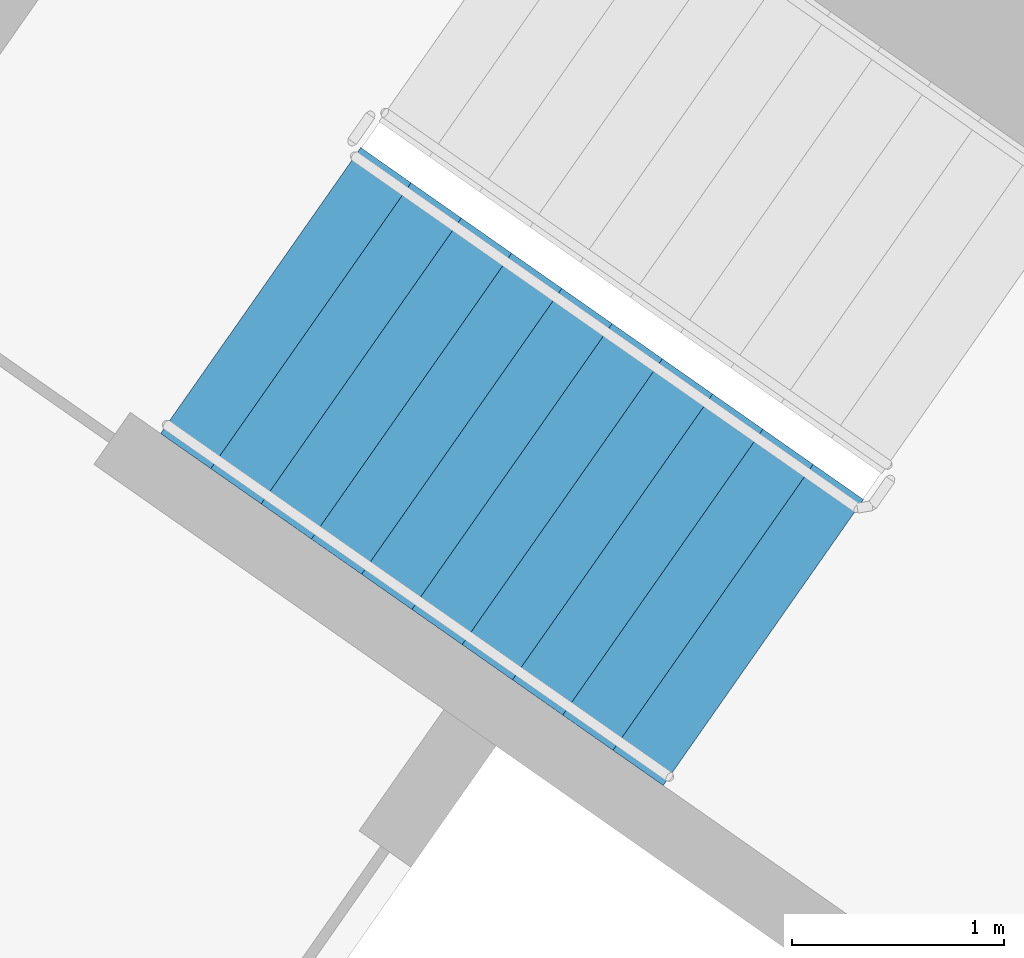
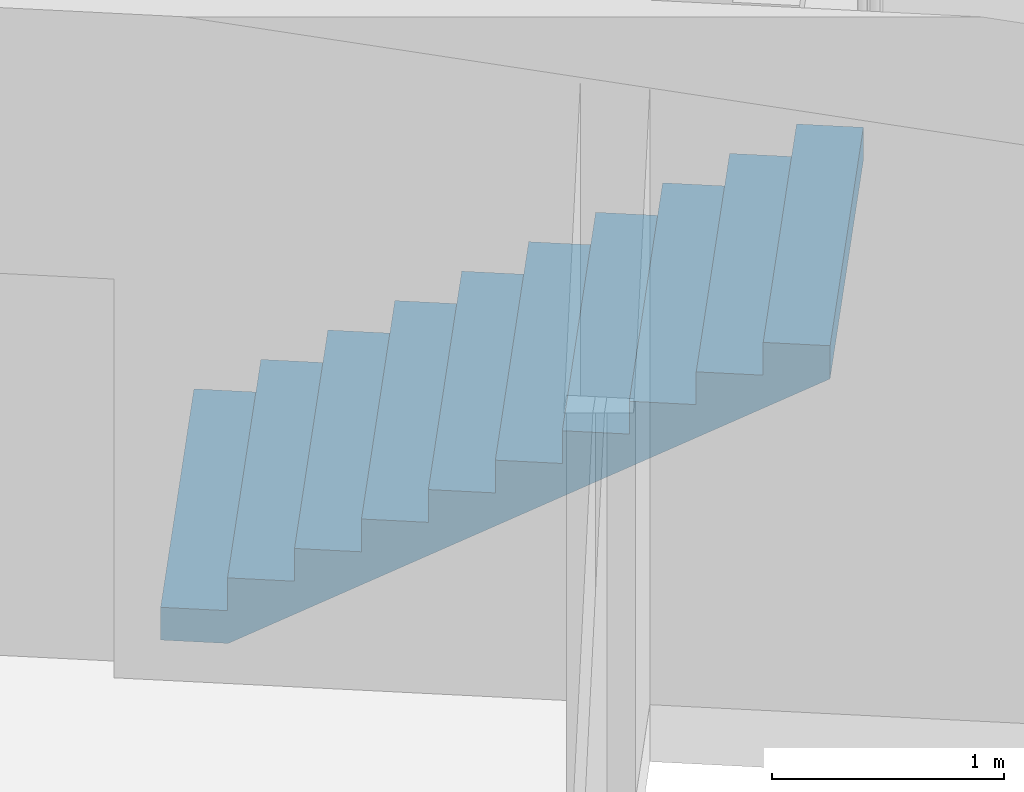
# One storey, part 13 of 27: 1 stair flight, 1 element without a shape of its own.
"""IFC4 building model written with IfcOpenShell, lengths in metres."""

from ifc_helpers import new_model, si_unit, direction, frame, origin, place, context, subcontext, project, spatial, faceted_brep, material, type_object, element, aggregate, save


model = new_model("IFC4")

# Units and contexts
model_context = context("Model", 3, precision=1e-05, world=origin(), true_north=direction((0.0, 1.0)))
body_context = subcontext(model_context, "Body", "Model", "MODEL_VIEW")
ifc_project = project(units=[si_unit("LENGTHUNIT", "METRE"), si_unit("AREAUNIT", "SQUARE_METRE"), si_unit("VOLUMEUNIT", "CUBIC_METRE"), si_unit("PLANEANGLEUNIT", "RADIAN"), si_unit("MASSUNIT", "GRAM", prefix="KILO")], contexts=[model_context])

# Site, building, storey
site_placement = place(None, origin())
site = spatial("IfcSite", under=ifc_project, at=site_placement, CompositionType="ELEMENT")
building_placement = place(site_placement, origin())
building = spatial("IfcBuilding", under=site, at=building_placement, Name="Qamariyya Broadcast Tower", CompositionType="ELEMENT")
storey_placement = place(building_placement, frame((0.0, 0.0, 187.300048828125)))
storey = spatial("IfcBuildingStorey", under=building, at=storey_placement, Name="L44", CompositionType="ELEMENT", Elevation=187.300048828125)

# Stair, stair flight
ifc_material = material(Name="Concrete C50/60", Category="concrete")
stair_type = type_object("IfcStairType", Name="Exit stair 22 risers of 173 mm", PredefinedType="HALF_TURN_STAIR", material=ifc_material)
stair_placement = place(storey_placement, origin())
stair = element("IfcStair", 1, at=stair_placement, inside=storey, type_object=stair_type, Name="L44 Stair W2", PredefinedType="HALF_TURN_STAIR")
stair_flight_type = type_object("IfcStairFlightType", Name="Exit stair flight 11 risers of 173 mm", PredefinedType="STRAIGHT", material=ifc_material)
stair_flight_placement = place(storey_placement, frame((-41.59130859375, -49.15966796875, 0.0), z_axis=(0.0, 0.0, 1.0), x_axis=(0.819152044289, -0.573576436351, 0.0)))
stair_flight = element("IfcStairFlight", 2, at=stair_flight_placement, type_object=stair_flight_type, Name="ST-W2 flight 1", NumberOfRisers=11, NumberOfTreads=10, PredefinedType="STRAIGHT", RiserHeight=0.172727273, TreadLength=0.29, context=body_context, shape_type="Brep", body=[
    faceted_brep([(0.0, 0.824951171875, 0.0), (0.0, 0.824951171875, 0.172607421875), (0.2900390625, 0.824951171875, 0.172607421875), (0.2900390625, 0.824951171875, 0.345458984375), (0.580078125, 0.824951171875, 0.345458984375), (0.580078125, 0.824951171875, 0.51806640625), (0.8701171875, 0.824951171875, 0.51806640625), (0.8701171875, 0.824951171875, 0.69091796875), (1.159912109375, 0.824951171875, 0.69091796875), (1.159912109375, 0.824951171875, 0.863525390625), (1.449951171875, 0.824951171875, 0.863525390625), (1.449951171875, 0.824951171875, 1.036376953125), (1.739990234375, 0.824951171875, 1.036376953125), (1.739990234375, 0.824951171875, 1.208984375), (2.030029296875, 0.824951171875, 1.208984375), (2.030029296875, 0.824951171875, 1.3818359375), (2.320068359375, 0.824951171875, 1.3818359375), (2.320068359375, 0.824951171875, 1.554443359375), (2.610107421875, 0.824951171875, 1.554443359375), (2.610107421875, 0.824951171875, 1.727294921875), (2.89990234375, 0.824951171875, 1.727294921875), (2.89990234375, 0.824951171875, 1.552734375), (0.29296875, 0.824951171875, 0.0), (0.29296875, -0.824951171875, 0.0), (2.89990234375, -0.824951171875, 1.552734375), (2.89990234375, -0.824951171875, 1.727294921875), (2.610107421875, -0.824951171875, 1.727294921875), (2.610107421875, -0.824951171875, 1.554443359375), (2.320068359375, -0.824951171875, 1.554443359375), (2.320068359375, -0.824951171875, 1.3818359375), (2.030029296875, -0.824951171875, 1.3818359375), (2.030029296875, -0.824951171875, 1.208984375), (1.739990234375, -0.824951171875, 1.208984375), (1.739990234375, -0.824951171875, 1.036376953125), (1.449951171875, -0.824951171875, 1.036376953125), (1.449951171875, -0.824951171875, 0.863525390625), (1.159912109375, -0.824951171875, 0.863525390625), (1.159912109375, -0.824951171875, 0.69091796875), (0.8701171875, -0.824951171875, 0.69091796875), (0.8701171875, -0.824951171875, 0.51806640625), (0.580078125, -0.824951171875, 0.51806640625), (0.580078125, -0.824951171875, 0.345458984375), (0.2900390625, -0.824951171875, 0.345458984375), (0.2900390625, -0.824951171875, 0.172607421875), (0.0, -0.824951171875, 0.172607421875), (0.0, -0.824951171875, 0.0), (0.0, 0.10009765625, 0.0), (0.0, 0.086669921875, 0.0), (0.0, 0.0732421875, 0.0), (0.0, 0.06005859375, 0.0), (0.0, 0.046630859375, 0.0), (0.0, 0.033447265625, 0.0), (0.0, 0.02001953125, 0.0), (0.0, 0.006591796875, 0.0), (0.0, -0.006591796875, 0.0), (0.0, -0.02001953125, 0.0), (0.0, -0.033447265625, 0.0), (0.0, -0.046630859375, 0.0), (0.0, -0.06005859375, 0.0), (0.0, -0.0732421875, 0.0), (0.0, -0.086669921875, 0.0), (0.0, -0.10009765625, 0.0), (0.0, -0.10009765625, 0.172607421875), (0.0, -0.086669921875, 0.172607421875), (0.0, -0.0732421875, 0.172607421875), (0.0, -0.06005859375, 0.172607421875), (0.0, -0.046630859375, 0.172607421875), (0.0, -0.033447265625, 0.172607421875), (0.0, -0.02001953125, 0.172607421875), (0.0, -0.006591796875, 0.172607421875), (0.0, 0.006591796875, 0.172607421875), (0.0, 0.02001953125, 0.172607421875), (0.0, 0.033447265625, 0.172607421875), (0.0, 0.046630859375, 0.172607421875), (0.0, 0.06005859375, 0.172607421875), (0.0, 0.0732421875, 0.172607421875), (0.0, 0.086669921875, 0.172607421875), (0.0, 0.10009765625, 0.172607421875), (0.2900390625, -0.10009765625, 0.172607421875), (0.2900390625, -0.086669921875, 0.172607421875), (0.2900390625, -0.0732421875, 0.172607421875), (0.2900390625, -0.06005859375, 0.172607421875), (0.2900390625, -0.046630859375, 0.172607421875), (0.2900390625, -0.033447265625, 0.172607421875), (0.2900390625, -0.02001953125, 0.172607421875), (0.2900390625, -0.006591796875, 0.172607421875), (0.2900390625, 0.006591796875, 0.172607421875), (0.2900390625, 0.02001953125, 0.172607421875), (0.2900390625, 0.033447265625, 0.172607421875), (0.2900390625, 0.046630859375, 0.172607421875), (0.2900390625, 0.06005859375, 0.172607421875), (0.2900390625, 0.0732421875, 0.172607421875), (0.2900390625, 0.086669921875, 0.172607421875), (0.2900390625, 0.10009765625, 0.172607421875), (0.2900390625, -0.10009765625, 0.345458984375), (0.2900390625, -0.086669921875, 0.345458984375), (0.2900390625, -0.0732421875, 0.345458984375), (0.2900390625, -0.06005859375, 0.345458984375), (0.2900390625, -0.046630859375, 0.345458984375), (0.2900390625, -0.033447265625, 0.345458984375), (0.2900390625, -0.02001953125, 0.345458984375), (0.2900390625, -0.006591796875, 0.345458984375), (0.2900390625, 0.006591796875, 0.345458984375), (0.2900390625, 0.02001953125, 0.345458984375), (0.2900390625, 0.033447265625, 0.345458984375), (0.2900390625, 0.046630859375, 0.345458984375), (0.2900390625, 0.06005859375, 0.345458984375), (0.2900390625, 0.0732421875, 0.345458984375), (0.2900390625, 0.086669921875, 0.345458984375), (0.2900390625, 0.10009765625, 0.345458984375), (0.580078125, -0.10009765625, 0.345458984375), (0.580078125, -0.086669921875, 0.345458984375), (0.580078125, -0.0732421875, 0.345458984375), (0.580078125, -0.06005859375, 0.345458984375), (0.580078125, -0.046630859375, 0.345458984375), (0.580078125, -0.033447265625, 0.345458984375), (0.580078125, -0.02001953125, 0.345458984375), (0.580078125, -0.006591796875, 0.345458984375), (0.580078125, 0.006591796875, 0.345458984375), (0.580078125, 0.02001953125, 0.345458984375), (0.580078125, 0.033447265625, 0.345458984375), (0.580078125, 0.046630859375, 0.345458984375), (0.580078125, 0.06005859375, 0.345458984375), (0.580078125, 0.0732421875, 0.345458984375), (0.580078125, 0.086669921875, 0.345458984375), (0.580078125, 0.10009765625, 0.345458984375), (0.580078125, -0.10009765625, 0.51806640625), (0.580078125, -0.086669921875, 0.51806640625), (0.580078125, -0.0732421875, 0.51806640625), (0.580078125, -0.06005859375, 0.51806640625), (0.580078125, -0.046630859375, 0.51806640625), (0.580078125, -0.033447265625, 0.51806640625), (0.580078125, -0.02001953125, 0.51806640625), (0.580078125, -0.006591796875, 0.51806640625), (0.580078125, 0.006591796875, 0.51806640625), (0.580078125, 0.02001953125, 0.51806640625), (0.580078125, 0.033447265625, 0.51806640625), (0.580078125, 0.046630859375, 0.51806640625), (0.580078125, 0.06005859375, 0.51806640625), (0.580078125, 0.0732421875, 0.51806640625), (0.580078125, 0.086669921875, 0.51806640625), (0.580078125, 0.10009765625, 0.51806640625), (0.8701171875, -0.10009765625, 0.51806640625), (0.8701171875, -0.086669921875, 0.51806640625), (0.8701171875, -0.0732421875, 0.51806640625), (0.8701171875, -0.06005859375, 0.51806640625), (0.8701171875, -0.046630859375, 0.51806640625), (0.8701171875, -0.033447265625, 0.51806640625), (0.8701171875, -0.02001953125, 0.51806640625), (0.8701171875, -0.006591796875, 0.51806640625), (0.8701171875, 0.006591796875, 0.51806640625), (0.8701171875, 0.02001953125, 0.51806640625), (0.8701171875, 0.033447265625, 0.51806640625), (0.8701171875, 0.046630859375, 0.51806640625), (0.8701171875, 0.06005859375, 0.51806640625), (0.8701171875, 0.0732421875, 0.51806640625), (0.8701171875, 0.086669921875, 0.51806640625), (0.8701171875, 0.10009765625, 0.51806640625), (0.8701171875, -0.10009765625, 0.69091796875), (0.8701171875, -0.086669921875, 0.69091796875), (0.8701171875, -0.0732421875, 0.69091796875), (0.8701171875, -0.06005859375, 0.69091796875), (0.8701171875, -0.046630859375, 0.69091796875), (0.8701171875, -0.033447265625, 0.69091796875), (0.8701171875, -0.02001953125, 0.69091796875), (0.8701171875, -0.006591796875, 0.69091796875), (0.8701171875, 0.006591796875, 0.69091796875), (0.8701171875, 0.02001953125, 0.69091796875), (0.8701171875, 0.033447265625, 0.69091796875), (0.8701171875, 0.046630859375, 0.69091796875), (0.8701171875, 0.06005859375, 0.69091796875), (0.8701171875, 0.0732421875, 0.69091796875), (0.8701171875, 0.086669921875, 0.69091796875), (0.8701171875, 0.10009765625, 0.69091796875), (1.159912109375, -0.10009765625, 0.69091796875), (1.159912109375, -0.086669921875, 0.69091796875), (1.159912109375, -0.0732421875, 0.69091796875), (1.159912109375, -0.06005859375, 0.69091796875), (1.159912109375, -0.046630859375, 0.69091796875), (1.159912109375, -0.033447265625, 0.69091796875), (1.159912109375, -0.02001953125, 0.69091796875), (1.159912109375, -0.006591796875, 0.69091796875), (1.159912109375, 0.006591796875, 0.69091796875), (1.159912109375, 0.02001953125, 0.69091796875), (1.159912109375, 0.033447265625, 0.69091796875), (1.159912109375, 0.046630859375, 0.69091796875), (1.159912109375, 0.06005859375, 0.69091796875), (1.159912109375, 0.0732421875, 0.69091796875), (1.159912109375, 0.086669921875, 0.69091796875), (1.159912109375, 0.10009765625, 0.69091796875), (1.159912109375, -0.10009765625, 0.863525390625), (1.159912109375, -0.086669921875, 0.863525390625), (1.159912109375, -0.0732421875, 0.863525390625), (1.159912109375, -0.06005859375, 0.863525390625), (1.159912109375, -0.046630859375, 0.863525390625), (1.159912109375, -0.033447265625, 0.863525390625), (1.159912109375, -0.02001953125, 0.863525390625), (1.159912109375, -0.006591796875, 0.863525390625), (1.159912109375, 0.006591796875, 0.863525390625), (1.159912109375, 0.02001953125, 0.863525390625), (1.159912109375, 0.033447265625, 0.863525390625), (1.159912109375, 0.046630859375, 0.863525390625), (1.159912109375, 0.06005859375, 0.863525390625), (1.159912109375, 0.0732421875, 0.863525390625), (1.159912109375, 0.086669921875, 0.863525390625), (1.159912109375, 0.10009765625, 0.863525390625), (1.449951171875, -0.10009765625, 0.863525390625), (1.449951171875, -0.086669921875, 0.863525390625), (1.449951171875, -0.0732421875, 0.863525390625), (1.449951171875, -0.06005859375, 0.863525390625), (1.449951171875, -0.046630859375, 0.863525390625), (1.449951171875, -0.033447265625, 0.863525390625), (1.449951171875, -0.02001953125, 0.863525390625), (1.449951171875, -0.006591796875, 0.863525390625), (1.449951171875, 0.006591796875, 0.863525390625), (1.449951171875, 0.02001953125, 0.863525390625), (1.449951171875, 0.033447265625, 0.863525390625), (1.449951171875, 0.046630859375, 0.863525390625), (1.449951171875, 0.06005859375, 0.863525390625), (1.449951171875, 0.0732421875, 0.863525390625), (1.449951171875, 0.086669921875, 0.863525390625), (1.449951171875, 0.10009765625, 0.863525390625), (1.449951171875, -0.10009765625, 1.036376953125), (1.449951171875, -0.086669921875, 1.036376953125), (1.449951171875, -0.0732421875, 1.036376953125), (1.449951171875, -0.06005859375, 1.036376953125), (1.449951171875, -0.046630859375, 1.036376953125), (1.449951171875, -0.033447265625, 1.036376953125), (1.449951171875, -0.02001953125, 1.036376953125), (1.449951171875, -0.006591796875, 1.036376953125), (1.449951171875, 0.006591796875, 1.036376953125), (1.449951171875, 0.02001953125, 1.036376953125), (1.449951171875, 0.033447265625, 1.036376953125), (1.449951171875, 0.046630859375, 1.036376953125), (1.449951171875, 0.06005859375, 1.036376953125), (1.449951171875, 0.0732421875, 1.036376953125), (1.449951171875, 0.086669921875, 1.036376953125), (1.449951171875, 0.10009765625, 1.036376953125), (1.739990234375, -0.10009765625, 1.036376953125), (1.739990234375, -0.086669921875, 1.036376953125), (1.739990234375, -0.0732421875, 1.036376953125), (1.739990234375, -0.06005859375, 1.036376953125), (1.739990234375, -0.046630859375, 1.036376953125), (1.739990234375, -0.033447265625, 1.036376953125), (1.739990234375, -0.02001953125, 1.036376953125), (1.739990234375, -0.006591796875, 1.036376953125), (1.739990234375, 0.006591796875, 1.036376953125), (1.739990234375, 0.02001953125, 1.036376953125), (1.739990234375, 0.033447265625, 1.036376953125), (1.739990234375, 0.046630859375, 1.036376953125), (1.739990234375, 0.06005859375, 1.036376953125), (1.739990234375, 0.0732421875, 1.036376953125), (1.739990234375, 0.086669921875, 1.036376953125), (1.739990234375, 0.10009765625, 1.036376953125), (1.739990234375, -0.10009765625, 1.208984375), (1.739990234375, -0.086669921875, 1.208984375), (1.739990234375, -0.0732421875, 1.208984375), (1.739990234375, -0.06005859375, 1.208984375), (1.739990234375, -0.046630859375, 1.208984375), (1.739990234375, -0.033447265625, 1.208984375), (1.739990234375, -0.02001953125, 1.208984375), (1.739990234375, -0.006591796875, 1.208984375), (1.739990234375, 0.006591796875, 1.208984375), (1.739990234375, 0.02001953125, 1.208984375), (1.739990234375, 0.033447265625, 1.208984375), (1.739990234375, 0.046630859375, 1.208984375), (1.739990234375, 0.06005859375, 1.208984375), (1.739990234375, 0.0732421875, 1.208984375), (1.739990234375, 0.086669921875, 1.208984375), (1.739990234375, 0.10009765625, 1.208984375), (2.030029296875, -0.10009765625, 1.208984375), (2.030029296875, -0.086669921875, 1.208984375), (2.030029296875, -0.0732421875, 1.208984375), (2.030029296875, -0.06005859375, 1.208984375), (2.030029296875, -0.046630859375, 1.208984375), (2.030029296875, -0.033447265625, 1.208984375), (2.030029296875, -0.02001953125, 1.208984375), (2.030029296875, -0.006591796875, 1.208984375), (2.030029296875, 0.006591796875, 1.208984375), (2.030029296875, 0.02001953125, 1.208984375), (2.030029296875, 0.033447265625, 1.208984375), (2.030029296875, 0.046630859375, 1.208984375), (2.030029296875, 0.06005859375, 1.208984375), (2.030029296875, 0.0732421875, 1.208984375), (2.030029296875, 0.086669921875, 1.208984375), (2.030029296875, 0.10009765625, 1.208984375), (2.030029296875, -0.10009765625, 1.3818359375), (2.030029296875, -0.086669921875, 1.3818359375), (2.030029296875, -0.0732421875, 1.3818359375), (2.030029296875, -0.06005859375, 1.3818359375), (2.030029296875, -0.046630859375, 1.3818359375), (2.030029296875, -0.033447265625, 1.3818359375), (2.030029296875, -0.02001953125, 1.3818359375), (2.030029296875, -0.006591796875, 1.3818359375), (2.030029296875, 0.006591796875, 1.3818359375), (2.030029296875, 0.02001953125, 1.3818359375), (2.030029296875, 0.033447265625, 1.3818359375), (2.030029296875, 0.046630859375, 1.3818359375), (2.030029296875, 0.06005859375, 1.3818359375), (2.030029296875, 0.0732421875, 1.3818359375), (2.030029296875, 0.086669921875, 1.3818359375), (2.030029296875, 0.10009765625, 1.3818359375), (2.320068359375, -0.10009765625, 1.3818359375), (2.320068359375, -0.086669921875, 1.3818359375), (2.320068359375, -0.0732421875, 1.3818359375), (2.320068359375, -0.06005859375, 1.3818359375), (2.320068359375, -0.046630859375, 1.3818359375), (2.320068359375, -0.033447265625, 1.3818359375), (2.320068359375, -0.02001953125, 1.3818359375), (2.320068359375, -0.006591796875, 1.3818359375), (2.320068359375, 0.006591796875, 1.3818359375), (2.320068359375, 0.02001953125, 1.3818359375), (2.320068359375, 0.033447265625, 1.3818359375), (2.320068359375, 0.046630859375, 1.3818359375), (2.320068359375, 0.06005859375, 1.3818359375), (2.320068359375, 0.0732421875, 1.3818359375), (2.320068359375, 0.086669921875, 1.3818359375), (2.320068359375, 0.10009765625, 1.3818359375), (2.320068359375, -0.10009765625, 1.554443359375), (2.320068359375, -0.086669921875, 1.554443359375), (2.320068359375, -0.0732421875, 1.554443359375), (2.320068359375, -0.06005859375, 1.554443359375), (2.320068359375, -0.046630859375, 1.554443359375), (2.320068359375, -0.033447265625, 1.554443359375), (2.320068359375, -0.02001953125, 1.554443359375), (2.320068359375, -0.006591796875, 1.554443359375), (2.320068359375, 0.006591796875, 1.554443359375), (2.320068359375, 0.02001953125, 1.554443359375), (2.320068359375, 0.033447265625, 1.554443359375), (2.320068359375, 0.046630859375, 1.554443359375), (2.320068359375, 0.06005859375, 1.554443359375), (2.320068359375, 0.0732421875, 1.554443359375), (2.320068359375, 0.086669921875, 1.554443359375), (2.320068359375, 0.10009765625, 1.554443359375), (2.610107421875, -0.10009765625, 1.554443359375), (2.610107421875, -0.086669921875, 1.554443359375), (2.610107421875, -0.0732421875, 1.554443359375), (2.610107421875, -0.06005859375, 1.554443359375), (2.610107421875, -0.046630859375, 1.554443359375), (2.610107421875, -0.033447265625, 1.554443359375), (2.610107421875, -0.02001953125, 1.554443359375), (2.610107421875, -0.006591796875, 1.554443359375), (2.610107421875, 0.006591796875, 1.554443359375), (2.610107421875, 0.02001953125, 1.554443359375), (2.610107421875, 0.033447265625, 1.554443359375), (2.610107421875, 0.046630859375, 1.554443359375), (2.610107421875, 0.06005859375, 1.554443359375), (2.610107421875, 0.0732421875, 1.554443359375), (2.610107421875, 0.086669921875, 1.554443359375), (2.610107421875, 0.10009765625, 1.554443359375), (2.610107421875, -0.10009765625, 1.727294921875), (2.610107421875, -0.086669921875, 1.727294921875), (2.610107421875, -0.0732421875, 1.727294921875), (2.610107421875, -0.06005859375, 1.727294921875), (2.610107421875, -0.046630859375, 1.727294921875), (2.610107421875, -0.033447265625, 1.727294921875), (2.610107421875, -0.02001953125, 1.727294921875), (2.610107421875, -0.006591796875, 1.727294921875), (2.610107421875, 0.006591796875, 1.727294921875), (2.610107421875, 0.02001953125, 1.727294921875), (2.610107421875, 0.033447265625, 1.727294921875), (2.610107421875, 0.046630859375, 1.727294921875), (2.610107421875, 0.06005859375, 1.727294921875), (2.610107421875, 0.0732421875, 1.727294921875), (2.610107421875, 0.086669921875, 1.727294921875), (2.610107421875, 0.10009765625, 1.727294921875), (2.89990234375, -0.10009765625, 1.727294921875), (2.89990234375, -0.086669921875, 1.727294921875), (2.89990234375, -0.0732421875, 1.727294921875), (2.89990234375, -0.06005859375, 1.727294921875), (2.89990234375, -0.046630859375, 1.727294921875), (2.89990234375, -0.033447265625, 1.727294921875), (2.89990234375, -0.02001953125, 1.727294921875), (2.89990234375, -0.006591796875, 1.727294921875), (2.89990234375, 0.006591796875, 1.727294921875), (2.89990234375, 0.02001953125, 1.727294921875), (2.89990234375, 0.033447265625, 1.727294921875), (2.89990234375, 0.046630859375, 1.727294921875), (2.89990234375, 0.06005859375, 1.727294921875), (2.89990234375, 0.0732421875, 1.727294921875), (2.89990234375, 0.086669921875, 1.727294921875), (2.89990234375, 0.10009765625, 1.727294921875), (2.89990234375, -0.10009765625, 1.552734375), (2.89990234375, -0.086669921875, 1.552734375), (2.89990234375, -0.0732421875, 1.552734375), (2.89990234375, -0.06005859375, 1.552734375), (2.89990234375, -0.046630859375, 1.552734375), (2.89990234375, -0.033447265625, 1.552734375), (2.89990234375, -0.02001953125, 1.552734375), (2.89990234375, -0.006591796875, 1.552734375), (2.89990234375, 0.006591796875, 1.552734375), (2.89990234375, 0.02001953125, 1.552734375), (2.89990234375, 0.033447265625, 1.552734375), (2.89990234375, 0.046630859375, 1.552734375), (2.89990234375, 0.06005859375, 1.552734375), (2.89990234375, 0.0732421875, 1.552734375), (2.89990234375, 0.086669921875, 1.552734375), (2.89990234375, 0.10009765625, 1.552734375), (0.29296875, -0.10009765625, 0.0), (0.29296875, -0.086669921875, 0.0), (0.29296875, -0.0732421875, 0.0), (0.29296875, -0.06005859375, 0.0), (0.29296875, -0.046630859375, 0.0), (0.29296875, -0.033447265625, 0.0), (0.29296875, -0.02001953125, 0.0), (0.29296875, -0.006591796875, 0.0), (0.29296875, 0.006591796875, 0.0), (0.29296875, 0.02001953125, 0.0), (0.29296875, 0.033447265625, 0.0), (0.29296875, 0.046630859375, 0.0), (0.29296875, 0.06005859375, 0.0), (0.29296875, 0.0732421875, 0.0), (0.29296875, 0.086669921875, 0.0), (0.29296875, 0.10009765625, 0.0)], [[[0, 1, 2, 3, 4, 5, 6, 7, 8, 9, 10, 11, 12, 13, 14, 15, 16, 17, 18, 19, 20, 21, 22]], [[23, 24, 25, 26, 27, 28, 29, 30, 31, 32, 33, 34, 35, 36, 37, 38, 39, 40, 41, 42, 43, 44, 45]], [[0, 46, 47, 48, 49, 50, 51, 52, 53, 54, 55, 56, 57, 58, 59, 60, 61, 45, 44, 62, 63, 64, 65, 66, 67, 68, 69, 70, 71, 72, 73, 74, 75, 76, 77, 1]], [[1, 77, 76, 75, 74, 73, 72, 71, 70, 69, 68, 67, 66, 65, 64, 63, 62, 44, 43, 78, 79, 80, 81, 82, 83, 84, 85, 86, 87, 88, 89, 90, 91, 92, 93, 2]], [[2, 93, 92, 91, 90, 89, 88, 87, 86, 85, 84, 83, 82, 81, 80, 79, 78, 43, 42, 94, 95, 96, 97, 98, 99, 100, 101, 102, 103, 104, 105, 106, 107, 108, 109, 3]], [[3, 109, 108, 107, 106, 105, 104, 103, 102, 101, 100, 99, 98, 97, 96, 95, 94, 42, 41, 110, 111, 112, 113, 114, 115, 116, 117, 118, 119, 120, 121, 122, 123, 124, 125, 4]], [[4, 125, 124, 123, 122, 121, 120, 119, 118, 117, 116, 115, 114, 113, 112, 111, 110, 41, 40, 126, 127, 128, 129, 130, 131, 132, 133, 134, 135, 136, 137, 138, 139, 140, 141, 5]], [[5, 141, 140, 139, 138, 137, 136, 135, 134, 133, 132, 131, 130, 129, 128, 127, 126, 40, 39, 142, 143, 144, 145, 146, 147, 148, 149, 150, 151, 152, 153, 154, 155, 156, 157, 6]], [[6, 157, 156, 155, 154, 153, 152, 151, 150, 149, 148, 147, 146, 145, 144, 143, 142, 39, 38, 158, 159, 160, 161, 162, 163, 164, 165, 166, 167, 168, 169, 170, 171, 172, 173, 7]], [[7, 173, 172, 171, 170, 169, 168, 167, 166, 165, 164, 163, 162, 161, 160, 159, 158, 38, 37, 174, 175, 176, 177, 178, 179, 180, 181, 182, 183, 184, 185, 186, 187, 188, 189, 8]], [[8, 189, 188, 187, 186, 185, 184, 183, 182, 181, 180, 179, 178, 177, 176, 175, 174, 37, 36, 190, 191, 192, 193, 194, 195, 196, 197, 198, 199, 200, 201, 202, 203, 204, 205, 9]], [[9, 205, 204, 203, 202, 201, 200, 199, 198, 197, 196, 195, 194, 193, 192, 191, 190, 36, 35, 206, 207, 208, 209, 210, 211, 212, 213, 214, 215, 216, 217, 218, 219, 220, 221, 10]], [[10, 221, 220, 219, 218, 217, 216, 215, 214, 213, 212, 211, 210, 209, 208, 207, 206, 35, 34, 222, 223, 224, 225, 226, 227, 228, 229, 230, 231, 232, 233, 234, 235, 236, 237, 11]], [[11, 237, 236, 235, 234, 233, 232, 231, 230, 229, 228, 227, 226, 225, 224, 223, 222, 34, 33, 238, 239, 240, 241, 242, 243, 244, 245, 246, 247, 248, 249, 250, 251, 252, 253, 12]], [[12, 253, 252, 251, 250, 249, 248, 247, 246, 245, 244, 243, 242, 241, 240, 239, 238, 33, 32, 254, 255, 256, 257, 258, 259, 260, 261, 262, 263, 264, 265, 266, 267, 268, 269, 13]], [[13, 269, 268, 267, 266, 265, 264, 263, 262, 261, 260, 259, 258, 257, 256, 255, 254, 32, 31, 270, 271, 272, 273, 274, 275, 276, 277, 278, 279, 280, 281, 282, 283, 284, 285, 14]], [[14, 285, 284, 283, 282, 281, 280, 279, 278, 277, 276, 275, 274, 273, 272, 271, 270, 31, 30, 286, 287, 288, 289, 290, 291, 292, 293, 294, 295, 296, 297, 298, 299, 300, 301, 15]], [[15, 301, 300, 299, 298, 297, 296, 295, 294, 293, 292, 291, 290, 289, 288, 287, 286, 30, 29, 302, 303, 304, 305, 306, 307, 308, 309, 310, 311, 312, 313, 314, 315, 316, 317, 16]], [[16, 317, 316, 315, 314, 313, 312, 311, 310, 309, 308, 307, 306, 305, 304, 303, 302, 29, 28, 318, 319, 320, 321, 322, 323, 324, 325, 326, 327, 328, 329, 330, 331, 332, 333, 17]], [[17, 333, 332, 331, 330, 329, 328, 327, 326, 325, 324, 323, 322, 321, 320, 319, 318, 28, 27, 334, 335, 336, 337, 338, 339, 340, 341, 342, 343, 344, 345, 346, 347, 348, 349, 18]], [[18, 349, 348, 347, 346, 345, 344, 343, 342, 341, 340, 339, 338, 337, 336, 335, 334, 27, 26, 350, 351, 352, 353, 354, 355, 356, 357, 358, 359, 360, 361, 362, 363, 364, 365, 19]], [[19, 365, 364, 363, 362, 361, 360, 359, 358, 357, 356, 355, 354, 353, 352, 351, 350, 26, 25, 366, 367, 368, 369, 370, 371, 372, 373, 374, 375, 376, 377, 378, 379, 380, 381, 20]], [[20, 381, 380, 379, 378, 377, 376, 375, 374, 373, 372, 371, 370, 369, 368, 367, 366, 25, 24, 382, 383, 384, 385, 386, 387, 388, 389, 390, 391, 392, 393, 394, 395, 396, 397, 21]], [[21, 397, 396, 395, 394, 393, 392, 391, 390, 389, 388, 387, 386, 385, 384, 383, 382, 24, 23, 398, 399, 400, 401, 402, 403, 404, 405, 406, 407, 408, 409, 410, 411, 412, 413, 22]], [[22, 413, 412, 411, 410, 409, 408, 407, 406, 405, 404, 403, 402, 401, 400, 399, 398, 23, 45, 61, 60, 59, 58, 57, 56, 55, 54, 53, 52, 51, 50, 49, 48, 47, 46, 0]]]),
])
aggregate(stair, [stair_flight])

save(model, "model.ifc")
